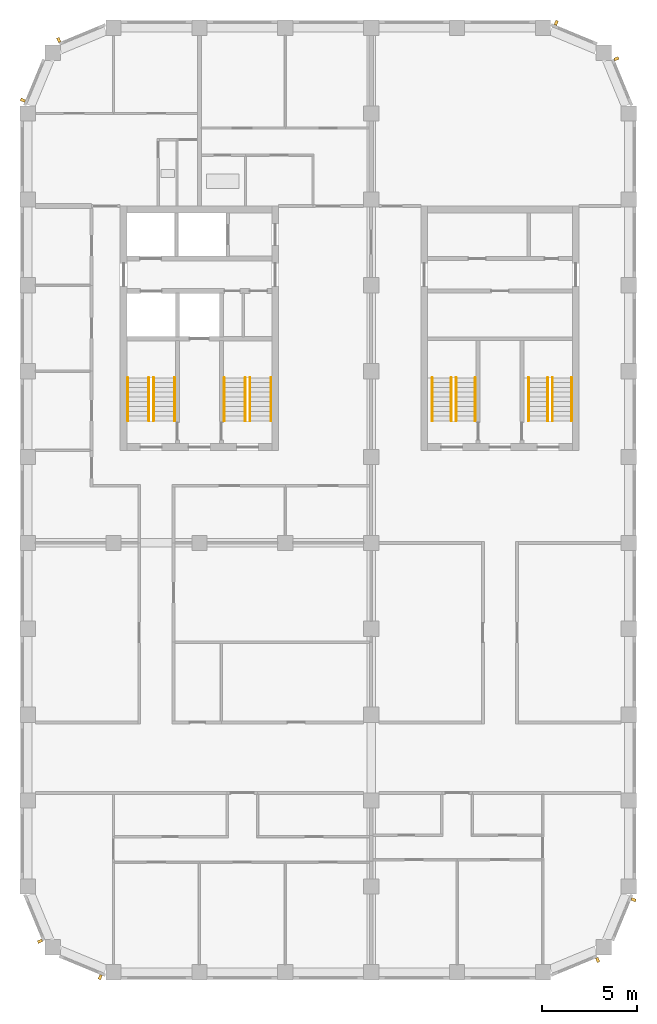
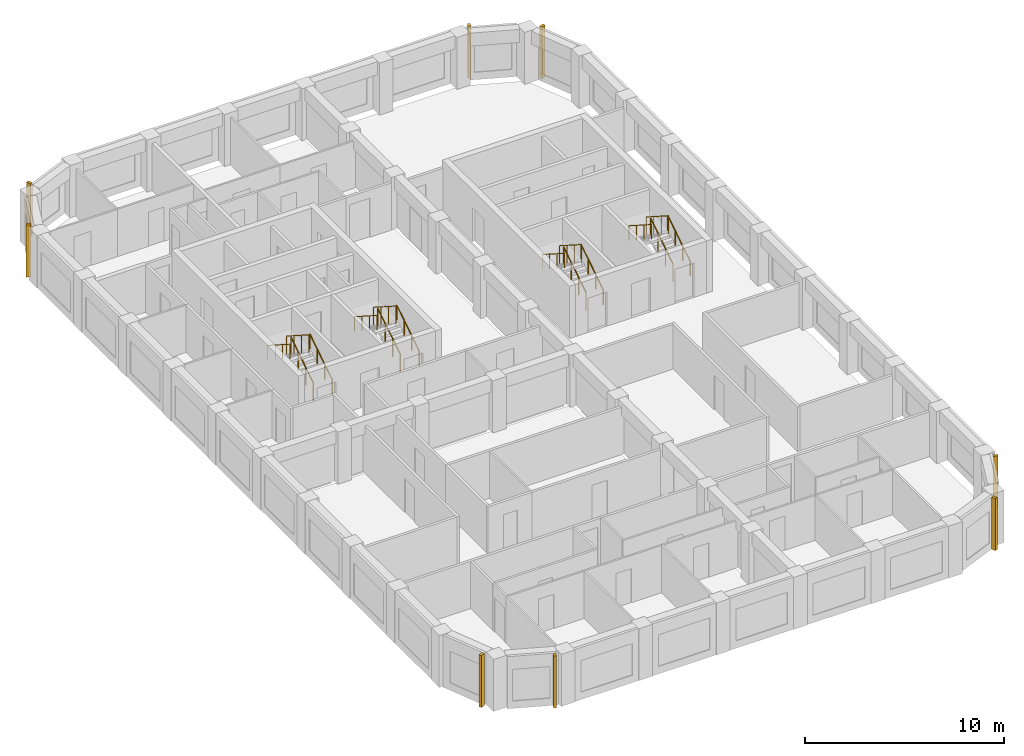
# One storey, part 8 of 9: 16 railings, 8 shading devices.
"""IFC4 building model written with IfcOpenShell, lengths in metres."""

import ifcopenshell
import ifcopenshell.guid

model = None  # the IFC model being written
_history = None  # IfcOwnerHistory: only IFC2X3 demands one
_inside = {}  # id of a spatial element -> (the spatial element, [elements in it])
_under = {}  # id of a project, library or spatial element -> (it, [spatial elements below it])
_declared = {}  # id of a project -> (the project, [libraries it declares])
_typed = {}  # id of a type object -> (the type object, [elements of that type])
_made_of = {}  # id of a material, layer set ... -> (it, [elements and type objects made of it])


def new_model(schema):
    """Start an empty IFC model of exactly this schema.

    Asked for "IFC4X3", IfcOpenShell would pick the latest addendum, in which some entities
    have other attributes; the version numbers below select the first issue.
    IFC2X3 requires an IfcOwnerHistory on every rooted entity: one is made here for all.
    """
    global model, _history
    if schema == "IFC4X3":
        model = ifcopenshell.file(schema_version=(4, 3, 0, 0))
    else:
        model = ifcopenshell.file(schema=schema)
    _inside.clear()
    _under.clear()
    _declared.clear()
    _typed.clear()
    _made_of.clear()
    _history = None
    if model.schema == "IFC2X3":
        org = make("IfcOrganization", Name="unknown")
        user = make(
            "IfcPersonAndOrganization",
            ThePerson=make("IfcPerson", FamilyName="unknown"),
            TheOrganization=org,
        )
        app = make(
            "IfcApplication",
            ApplicationDeveloper=org,
            Version="unknown",
            ApplicationFullName="unknown",
            ApplicationIdentifier="unknown",
        )
        _history = make(
            "IfcOwnerHistory",
            OwningUser=user,
            OwningApplication=app,
            ChangeAction="ADDED",
            CreationDate=0,
        )
    return model


def make(cls, **values):
    """One entity of the class cls with the attributes given. An attribute that is None is left unset."""
    return model.create_entity(
        cls, **{name: value for name, value in values.items() if value is not None}
    )


def rooted(cls, **values):
    """An entity with a GlobalId (a new one), such as an element, a storey or a relation."""
    return make(cls, GlobalId=ifcopenshell.guid.new(), OwnerHistory=_history, **values)


def si_unit(unit_type, name, prefix=None):
    """IfcSIUnit, for example si_unit("LENGTHUNIT", "METRE", prefix="MILLI")."""
    return make("IfcSIUnit", UnitType=unit_type, Prefix=prefix, Name=name)


def assignment(units):
    """IfcUnitAssignment: the units of a project."""
    return None if units is None else make("IfcUnitAssignment", Units=units)


def point(xyz):
    """IfcCartesianPoint."""
    return None if xyz is None else make("IfcCartesianPoint", Coordinates=xyz)


def direction(xyz):
    """IfcDirection."""
    return None if xyz is None else make("IfcDirection", DirectionRatios=xyz)


def frame(location, z_axis=None, x_axis=None):
    """IfcAxis2Placement3D, a coordinate frame: its origin and axes. An axis left out is left unset."""
    return make(
        "IfcAxis2Placement3D",
        Location=point(location),
        Axis=direction(z_axis),
        RefDirection=direction(x_axis),
    )


def frame_2d(location, x_axis=None):
    """IfcAxis2Placement2D, a coordinate frame in the plane: its origin and x axis."""
    return make(
        "IfcAxis2Placement2D", Location=point(location), RefDirection=direction(x_axis)
    )


def origin():
    """The frame at (0, 0, 0) with its axes left unset."""
    return frame((0.0, 0.0, 0.0))


def origin_2d():
    """The frame at (0, 0) in the plane with its x axis left unset."""
    return frame_2d((0.0, 0.0))


def place(relative_to, where):
    """IfcLocalPlacement: puts the frame where relative to a parent placement (None: the world)."""
    return make(
        "IfcLocalPlacement", PlacementRelTo=relative_to, RelativePlacement=where
    )


def context(
    kind, dimensions, precision=None, world=None, true_north=None, identifier=None
):
    """IfcGeometricRepresentationContext, for example the 3D "Model" context."""
    return make(
        "IfcGeometricRepresentationContext",
        ContextIdentifier=identifier,
        ContextType=kind,
        CoordinateSpaceDimension=dimensions,
        Precision=precision,
        WorldCoordinateSystem=world,
        TrueNorth=true_north,
    )


def subcontext(parent, identifier, kind, view, scale=None):
    """IfcGeometricRepresentationSubContext, for example "Body" below "Model"."""
    return make(
        "IfcGeometricRepresentationSubContext",
        ContextIdentifier=identifier,
        ContextType=kind,
        ParentContext=parent,
        TargetScale=scale,
        TargetView=view,
    )


def project(units=None, contexts=None):
    """IfcProject with its units and contexts."""
    return rooted(
        "IfcProject",
        Name="project",
        RepresentationContexts=contexts,
        UnitsInContext=assignment(units),
    )


def spatial(cls, under=None, at=None, **own):
    """A site, building, storey or space (cls), placed at a placement, below another one or the project."""
    s = rooted(cls, ObjectPlacement=at, **own)
    if under is not None:
        _under.setdefault(under.id(), (under, []))[1].append(s)
    return s


def profile(cls, at=None, kind="AREA", **sizes):
    """A parametric profile (cls). Its sizes go by their IFC names, for example OverallWidth=200.0."""
    return make(cls, ProfileType=kind, Position=at, **sizes)


def rectangle(**sizes):
    """IfcRectangleProfileDef."""
    return profile("IfcRectangleProfileDef", **sizes)


def circle(**sizes):
    """IfcCircleProfileDef."""
    return profile("IfcCircleProfileDef", **sizes)


def extrude(swept, where, along, depth):
    """IfcExtrudedAreaSolid: the profile swept, set in the frame where, extruded along a direction by depth."""
    return make(
        "IfcExtrudedAreaSolid",
        SweptArea=swept,
        Position=where,
        ExtrudedDirection=direction(along),
        Depth=depth,
    )


def shape(context_of_items, identifier, shape_type, items):
    """IfcShapeRepresentation: the items that make up one representation, for example the "Body"."""
    return make(
        "IfcShapeRepresentation",
        ContextOfItems=context_of_items,
        RepresentationIdentifier=identifier,
        RepresentationType=shape_type,
        Items=items,
    )


def material(Name=None, Category=None):
    """IfcMaterial."""
    return make("IfcMaterial", Name=Name, Category=Category)


def made_of(thing, what):
    """Note that an element or type object is made of a material, layer set ...; save() writes the relation."""
    if what is not None:
        _made_of.setdefault(what.id(), (what, []))[1].append(thing)
    return thing


def type_object(cls, material=None, **own):
    """A type object (cls), such as IfcWallType, which elements share."""
    return made_of(rooted(cls, **own), material)


def element(
    cls,
    number,
    at=None,
    inside=None,
    cuts=None,
    type_object=None,
    material=None,
    context=None,
    identifier="Body",
    shape_type=None,
    held_by="IfcProductDefinitionShape",
    body=None,
    shapes=None,
    **own,
):
    """One element of the class cls, such as IfcWall. Its Tag is "e" and its number.

    at: its placement. inside: the storey or other place that contains it. cuts: it is an
    opening in that element (IfcRelVoidsElement). A single representation is given by context,
    identifier, shape_type and body (its items); several are given by shapes. held_by: the class
    of the entity that holds the representations. save() writes the other relations.
    """
    e = rooted(cls, Tag="e%d" % number, ObjectPlacement=at, **own)
    if body is not None:
        shapes = [shape(context, identifier, shape_type, body)]
    if shapes is not None:
        e.Representation = make(held_by, Representations=shapes)
    if inside is not None:
        _inside.setdefault(inside.id(), (inside, []))[1].append(e)
    if cuts is not None:
        rooted(
            "IfcRelVoidsElement", RelatingBuildingElement=cuts, RelatedOpeningElement=e
        )
    if type_object is not None:
        _typed.setdefault(type_object.id(), (type_object, []))[1].append(e)
    return made_of(e, material)


def aggregate(whole, parts):
    """IfcRelAggregates: a whole, such as a stair, and the parts it consists of."""
    return rooted("IfcRelAggregates", RelatingObject=whole, RelatedObjects=parts)


def save(model, path):
    """Write the relations noted so far, then the file.

    IfcRelAggregates (storeys below a building ...), IfcRelContainedInSpatialStructure (elements
    in a storey), IfcRelDefinesByType, IfcRelAssociatesMaterial and IfcRelDeclares: one each for
    every whole, place, type object, material and project.
    """
    for whole, parts in _under.values():
        aggregate(whole, parts)
    for where, things in _inside.values():
        rooted(
            "IfcRelContainedInSpatialStructure",
            RelatedElements=things,
            RelatingStructure=where,
        )
    for kind, things in _typed.values():
        rooted("IfcRelDefinesByType", RelatedObjects=things, RelatingType=kind)
    for what, things in _made_of.values():
        rooted("IfcRelAssociatesMaterial", RelatedObjects=things, RelatingMaterial=what)
    for by, libraries in _declared.values():
        rooted("IfcRelDeclares", RelatingContext=by, RelatedDefinitions=libraries)
    model.write(path)


model = new_model("IFC4")

# Units and contexts
model_context = context("Model", 3, precision=1e-05, world=origin(), true_north=direction((0.0, 1.0)))
body_context = subcontext(model_context, "Body", "Model", "MODEL_VIEW")
ifc_project = project(units=[si_unit("LENGTHUNIT", "METRE"), si_unit("AREAUNIT", "SQUARE_METRE"), si_unit("VOLUMEUNIT", "CUBIC_METRE"), si_unit("PLANEANGLEUNIT", "RADIAN"), si_unit("MASSUNIT", "GRAM", prefix="KILO")], contexts=[model_context])

# Site, building, storey
site_placement = place(None, origin())
site = spatial("IfcSite", under=ifc_project, at=site_placement, CompositionType="ELEMENT")
building_placement = place(site_placement, origin())
building = spatial("IfcBuilding", under=site, at=building_placement, Name="Girih Gate Residences", CompositionType="ELEMENT")
storey_placement = place(building_placement, frame((0.0, 0.0, 226.094970703125)))
storey = spatial("IfcBuildingStorey", under=building, at=storey_placement, Name="L63", CompositionType="ELEMENT", Elevation=226.094970703125)

# Shading devices
ifc_material_1 = material(Name="Precast concrete C50/60", Category="concrete")
shading_device_type = type_object("IfcShadingDeviceType", Name="Corner rib 150x250", PredefinedType="USERDEFINED", material=ifc_material_1)
for number, where, z_axis, x_axis, name in (
    (1, (29.867919921875, 0.646728515625, 0.0), (0.0, 0.0, 1.0), (0.923879532511, 0.382683432365, 0.0), "Corner rib SE0270_0000.0"),
    (2, (31.752685546875, 3.80322265625, 0.0), (0.0, 0.0, 1.0), (0.382683432365, 0.923879532511, 0.0), "Corner rib SE0302_0013.0"),
    (3, (30.853271484375, 47.867919921875, 0.0), (0.0, 0.0, 1.0), (-0.382683432365, 0.923879532511, 0.0), "Corner rib NE0315_0450.0"),
    (4, (27.69677734375, 49.752685546875, 0.0), (0.0, 0.0, 1.0), (-0.923879532511, 0.382683432365, 0.0), "Corner rib NE0302_0482.0"),
    (5, (1.632080078125, 48.853271484375, 0.0), (0.0, 0.0, 1.0), (-0.923879532511, -0.382683432365, 0.0), "Corner rib NW0045_0495.0"),
    (6, (-0.252685546875, 45.69677734375, 0.0), (0.0, 0.0, 1.0), (-0.382683432365, -0.923879532511, 0.0), "Corner rib NW0013_0482.0"),
    (7, (0.646728515625, 1.632080078125, 0.0), (0.0, 0.0, 1.0), (0.382683432365, -0.923879532511, 0.0), "Corner rib SW0000_0045.0"),
    (8, (3.80322265625, -0.252685546875, 0.0), (0.0, 0.0, 1.0), (0.923879532511, -0.382683432365, 0.0), "Corner rib SW0013_0013.0"),
):
    element("IfcShadingDevice", number, at=place(storey_placement, frame(where, z_axis=z_axis, x_axis=x_axis)), inside=storey, type_object=shading_device_type, Name=name, ObjectType="FIN", PredefinedType="USERDEFINED", context=body_context, shape_type="SweptSolid", body=[
        extrude(rectangle(XDim=0.14990234375, YDim=0.25, at=origin_2d()), origin(), (0.0, 0.0, 1.0), 3.199951171875),
    ])

# Railings
ifc_material_2 = material(Name="Stainless steel", Category="steel")
railing_type_1 = type_object("IfcRailingType", Name="Stair guard 1100", PredefinedType="GUARDRAIL", material=ifc_material_2)
railing_1_placement = place(storey_placement, frame((6.60009765625, 28.89990234375, 0.159912109375)))
element("IfcRailing", 9, at=railing_1_placement, inside=storey, type_object=railing_type_1, Name="L63 ST-W1 stair guard 1", PredefinedType="GUARDRAIL", context=body_context, shape_type="SweptSolid", body=[
    extrude(circle(Radius=0.02392578125, at=origin_2d()), frame((0.0, 0.0, 1.076171875), z_axis=(0.0, 0.842239864353, 0.539102968731), x_axis=(-1.0, 0.0, 0.0)), (0.0, 0.0, 1.0), 2.67138671875),
    extrude(circle(Radius=0.02099609375, at=origin_2d()), origin(), (0.0, 0.0, 1.0), 1.052001953125),
    extrude(circle(Radius=0.02099609375, at=origin_2d()), frame((0.0, 0.75, 0.47998046875)), (0.0, 0.0, 1.0), 1.052001953125),
    extrude(circle(Radius=0.02099609375, at=origin_2d()), frame((0.0, 1.5, 0.960205078125)), (0.0, 0.0, 1.0), 1.052001953125),
    extrude(circle(Radius=0.02099609375, at=origin_2d()), frame((0.0, 2.25, 1.440185546875)), (0.0, 0.0, 1.0), 1.052001953125),
])
railing_2_placement = place(storey_placement, frame((6.35009765625, 31.14990234375, 1.760009765625)))
element("IfcRailing", 10, at=railing_2_placement, inside=storey, type_object=railing_type_1, Name="L63 ST-W1 stair guard 2", PredefinedType="GUARDRAIL", context=body_context, shape_type="SweptSolid", body=[
    extrude(circle(Radius=0.02392578125, at=origin_2d()), frame((0.0, 0.0, 1.076171875), z_axis=(0.0, -0.842281359387, 0.539038135598), x_axis=(1.0, 0.0, 0.0)), (0.0, 0.0, 1.0), 2.67138671875),
    extrude(circle(Radius=0.02099609375, at=origin_2d()), origin(), (0.0, 0.0, 1.0), 1.052001953125),
    extrude(circle(Radius=0.02099609375, at=origin_2d()), frame((0.0, -0.75, 0.47998046875)), (0.0, 0.0, 1.0), 1.052001953125),
    extrude(circle(Radius=0.02099609375, at=origin_2d()), frame((0.0, -1.5, 0.9599609375)), (0.0, 0.0, 1.0), 1.052001953125),
    extrude(circle(Radius=0.02099609375, at=origin_2d()), frame((0.0, -2.25, 1.43994140625)), (0.0, 0.0, 1.0), 1.052001953125),
])
railing_3_placement = place(storey_placement, frame((11.64990234375, 28.89990234375, 0.159912109375)))
element("IfcRailing", 11, at=railing_3_placement, inside=storey, type_object=railing_type_1, Name="L63 ST-W2 stair guard 1", PredefinedType="GUARDRAIL", context=body_context, shape_type="SweptSolid", body=[
    extrude(circle(Radius=0.02392578125, at=origin_2d()), frame((0.0, 0.0, 1.076171875), z_axis=(0.0, 0.842239864353, 0.539102968731), x_axis=(-1.0, 0.0, 0.0)), (0.0, 0.0, 1.0), 2.67138671875),
    extrude(circle(Radius=0.02099609375, at=origin_2d()), origin(), (0.0, 0.0, 1.0), 1.052001953125),
    extrude(circle(Radius=0.02099609375, at=origin_2d()), frame((0.0, 0.75, 0.47998046875)), (0.0, 0.0, 1.0), 1.052001953125),
    extrude(circle(Radius=0.02099609375, at=origin_2d()), frame((0.0, 1.5, 0.960205078125)), (0.0, 0.0, 1.0), 1.052001953125),
    extrude(circle(Radius=0.02099609375, at=origin_2d()), frame((0.0, 2.25, 1.440185546875)), (0.0, 0.0, 1.0), 1.052001953125),
])
railing_4_placement = place(storey_placement, frame((11.39990234375, 31.14990234375, 1.760009765625)))
element("IfcRailing", 12, at=railing_4_placement, inside=storey, type_object=railing_type_1, Name="L63 ST-W2 stair guard 2", PredefinedType="GUARDRAIL", context=body_context, shape_type="SweptSolid", body=[
    extrude(circle(Radius=0.02392578125, at=origin_2d()), frame((0.0, 0.0, 1.076171875), z_axis=(0.0, -0.842281359387, 0.539038135598), x_axis=(1.0, 0.0, 0.0)), (0.0, 0.0, 1.0), 2.67138671875),
    extrude(circle(Radius=0.02099609375, at=origin_2d()), origin(), (0.0, 0.0, 1.0), 1.052001953125),
    extrude(circle(Radius=0.02099609375, at=origin_2d()), frame((0.0, -0.75, 0.47998046875)), (0.0, 0.0, 1.0), 1.052001953125),
    extrude(circle(Radius=0.02099609375, at=origin_2d()), frame((0.0, -1.5, 0.9599609375)), (0.0, 0.0, 1.0), 1.052001953125),
    extrude(circle(Radius=0.02099609375, at=origin_2d()), frame((0.0, -2.25, 1.43994140625)), (0.0, 0.0, 1.0), 1.052001953125),
])
railing_5_placement = place(storey_placement, frame((22.449951171875, 28.89990234375, 0.159912109375)))
element("IfcRailing", 13, at=railing_5_placement, inside=storey, type_object=railing_type_1, Name="L63 ST-C1 stair guard 1", PredefinedType="GUARDRAIL", context=body_context, shape_type="SweptSolid", body=[
    extrude(circle(Radius=0.02392578125, at=origin_2d()), frame((0.0, 0.0, 1.076171875), z_axis=(0.0, 0.842239864353, 0.539102968731), x_axis=(-1.0, 0.0, 0.0)), (0.0, 0.0, 1.0), 2.67138671875),
    extrude(circle(Radius=0.02099609375, at=origin_2d()), origin(), (0.0, 0.0, 1.0), 1.052001953125),
    extrude(circle(Radius=0.02099609375, at=origin_2d()), frame((0.0, 0.75, 0.47998046875)), (0.0, 0.0, 1.0), 1.052001953125),
    extrude(circle(Radius=0.02099609375, at=origin_2d()), frame((0.0, 1.5, 0.960205078125)), (0.0, 0.0, 1.0), 1.052001953125),
    extrude(circle(Radius=0.02099609375, at=origin_2d()), frame((0.0, 2.25, 1.440185546875)), (0.0, 0.0, 1.0), 1.052001953125),
])
railing_6_placement = place(storey_placement, frame((22.199951171875, 31.14990234375, 1.760009765625)))
element("IfcRailing", 14, at=railing_6_placement, inside=storey, type_object=railing_type_1, Name="L63 ST-C1 stair guard 2", PredefinedType="GUARDRAIL", context=body_context, shape_type="SweptSolid", body=[
    extrude(circle(Radius=0.02392578125, at=origin_2d()), frame((0.0, 0.0, 1.076171875), z_axis=(0.0, -0.842281359387, 0.539038135598), x_axis=(1.0, 0.0, 0.0)), (0.0, 0.0, 1.0), 2.67138671875),
    extrude(circle(Radius=0.02099609375, at=origin_2d()), origin(), (0.0, 0.0, 1.0), 1.052001953125),
    extrude(circle(Radius=0.02099609375, at=origin_2d()), frame((0.0, -0.75, 0.47998046875)), (0.0, 0.0, 1.0), 1.052001953125),
    extrude(circle(Radius=0.02099609375, at=origin_2d()), frame((0.0, -1.5, 0.9599609375)), (0.0, 0.0, 1.0), 1.052001953125),
    extrude(circle(Radius=0.02099609375, at=origin_2d()), frame((0.0, -2.25, 1.43994140625)), (0.0, 0.0, 1.0), 1.052001953125),
])
railing_7_placement = place(storey_placement, frame((27.5, 28.89990234375, 0.159912109375)))
element("IfcRailing", 15, at=railing_7_placement, inside=storey, type_object=railing_type_1, Name="L63 ST-C2 stair guard 1", PredefinedType="GUARDRAIL", context=body_context, shape_type="SweptSolid", body=[
    extrude(circle(Radius=0.02392578125, at=origin_2d()), frame((0.0, 0.0, 1.076171875), z_axis=(0.0, 0.842239864353, 0.539102968731), x_axis=(-1.0, 0.0, 0.0)), (0.0, 0.0, 1.0), 2.67138671875),
    extrude(circle(Radius=0.02099609375, at=origin_2d()), origin(), (0.0, 0.0, 1.0), 1.052001953125),
    extrude(circle(Radius=0.02099609375, at=origin_2d()), frame((0.0, 0.75, 0.47998046875)), (0.0, 0.0, 1.0), 1.052001953125),
    extrude(circle(Radius=0.02099609375, at=origin_2d()), frame((0.0, 1.5, 0.960205078125)), (0.0, 0.0, 1.0), 1.052001953125),
    extrude(circle(Radius=0.02099609375, at=origin_2d()), frame((0.0, 2.25, 1.440185546875)), (0.0, 0.0, 1.0), 1.052001953125),
])
railing_8_placement = place(storey_placement, frame((27.25, 31.14990234375, 1.760009765625)))
element("IfcRailing", 16, at=railing_8_placement, inside=storey, type_object=railing_type_1, Name="L63 ST-C2 stair guard 2", PredefinedType="GUARDRAIL", context=body_context, shape_type="SweptSolid", body=[
    extrude(circle(Radius=0.02392578125, at=origin_2d()), frame((0.0, 0.0, 1.076171875), z_axis=(0.0, -0.842281359387, 0.539038135598), x_axis=(1.0, 0.0, 0.0)), (0.0, 0.0, 1.0), 2.67138671875),
    extrude(circle(Radius=0.02099609375, at=origin_2d()), origin(), (0.0, 0.0, 1.0), 1.052001953125),
    extrude(circle(Radius=0.02099609375, at=origin_2d()), frame((0.0, -0.75, 0.47998046875)), (0.0, 0.0, 1.0), 1.052001953125),
    extrude(circle(Radius=0.02099609375, at=origin_2d()), frame((0.0, -1.5, 0.9599609375)), (0.0, 0.0, 1.0), 1.052001953125),
    extrude(circle(Radius=0.02099609375, at=origin_2d()), frame((0.0, -2.25, 1.43994140625)), (0.0, 0.0, 1.0), 1.052001953125),
])
railing_type_2 = type_object("IfcRailingType", Name="Stair handrail 900", PredefinedType="HANDRAIL", material=ifc_material_2)
railing_9_placement = place(storey_placement, frame((7.699951171875, 28.89990234375, 0.159912109375)))
element("IfcRailing", 17, at=railing_9_placement, inside=storey, type_object=railing_type_2, Name="L63 ST-W1 stair handrail 1", PredefinedType="HANDRAIL", context=body_context, shape_type="SweptSolid", body=[
    extrude(circle(Radius=0.02392578125, at=origin_2d()), frame((0.0, 0.0, 0.8857421875), z_axis=(0.0, 0.842239864353, 0.539102968731), x_axis=(-1.0, 0.0, 0.0)), (0.0, 0.0, 1.0), 2.67138671875),
    extrude(circle(Radius=0.02099609375, at=origin_2d()), origin(), (0.0, 0.0, 1.0), 0.86181640625),
    extrude(circle(Radius=0.02099609375, at=origin_2d()), frame((0.0, 0.75, 0.47998046875)), (0.0, 0.0, 1.0), 0.86181640625),
    extrude(circle(Radius=0.02099609375, at=origin_2d()), frame((0.0, 1.5, 0.960205078125)), (0.0, 0.0, 1.0), 0.86181640625),
    extrude(circle(Radius=0.02099609375, at=origin_2d()), frame((0.0, 2.25, 1.440185546875)), (0.0, 0.0, 1.0), 0.86181640625),
])
railing_10_placement = place(storey_placement, frame((5.25, 31.14990234375, 1.760009765625)))
element("IfcRailing", 18, at=railing_10_placement, inside=storey, type_object=railing_type_2, Name="L63 ST-W1 stair handrail 2", PredefinedType="HANDRAIL", context=body_context, shape_type="SweptSolid", body=[
    extrude(circle(Radius=0.02392578125, at=origin_2d()), frame((0.0, 0.0, 0.8857421875), z_axis=(0.0, -0.842281359387, 0.539038135598), x_axis=(1.0, 0.0, 0.0)), (0.0, 0.0, 1.0), 2.67138671875),
    extrude(circle(Radius=0.02099609375, at=origin_2d()), origin(), (0.0, 0.0, 1.0), 0.86181640625),
    extrude(circle(Radius=0.02099609375, at=origin_2d()), frame((0.0, -0.75, 0.47998046875)), (0.0, 0.0, 1.0), 0.86181640625),
    extrude(circle(Radius=0.02099609375, at=origin_2d()), frame((0.0, -1.5, 0.9599609375)), (0.0, 0.0, 1.0), 0.86181640625),
    extrude(circle(Radius=0.02099609375, at=origin_2d()), frame((0.0, -2.25, 1.43994140625)), (0.0, 0.0, 1.0), 0.86181640625),
])
railing_11_placement = place(storey_placement, frame((12.75, 28.89990234375, 0.159912109375)))
element("IfcRailing", 19, at=railing_11_placement, inside=storey, type_object=railing_type_2, Name="L63 ST-W2 stair handrail 1", PredefinedType="HANDRAIL", context=body_context, shape_type="SweptSolid", body=[
    extrude(circle(Radius=0.02392578125, at=origin_2d()), frame((0.0, 0.0, 0.8857421875), z_axis=(0.0, 0.842239864353, 0.539102968731), x_axis=(-1.0, 0.0, 0.0)), (0.0, 0.0, 1.0), 2.67138671875),
    extrude(circle(Radius=0.02099609375, at=origin_2d()), origin(), (0.0, 0.0, 1.0), 0.86181640625),
    extrude(circle(Radius=0.02099609375, at=origin_2d()), frame((0.0, 0.75, 0.47998046875)), (0.0, 0.0, 1.0), 0.86181640625),
    extrude(circle(Radius=0.02099609375, at=origin_2d()), frame((0.0, 1.5, 0.960205078125)), (0.0, 0.0, 1.0), 0.86181640625),
    extrude(circle(Radius=0.02099609375, at=origin_2d()), frame((0.0, 2.25, 1.440185546875)), (0.0, 0.0, 1.0), 0.86181640625),
])
railing_12_placement = place(storey_placement, frame((10.300048828125, 31.14990234375, 1.760009765625)))
element("IfcRailing", 20, at=railing_12_placement, inside=storey, type_object=railing_type_2, Name="L63 ST-W2 stair handrail 2", PredefinedType="HANDRAIL", context=body_context, shape_type="SweptSolid", body=[
    extrude(circle(Radius=0.02392578125, at=origin_2d()), frame((0.0, 0.0, 0.8857421875), z_axis=(0.0, -0.842281359387, 0.539038135598), x_axis=(1.0, 0.0, 0.0)), (0.0, 0.0, 1.0), 2.67138671875),
    extrude(circle(Radius=0.02099609375, at=origin_2d()), origin(), (0.0, 0.0, 1.0), 0.86181640625),
    extrude(circle(Radius=0.02099609375, at=origin_2d()), frame((0.0, -0.75, 0.47998046875)), (0.0, 0.0, 1.0), 0.86181640625),
    extrude(circle(Radius=0.02099609375, at=origin_2d()), frame((0.0, -1.5, 0.9599609375)), (0.0, 0.0, 1.0), 0.86181640625),
    extrude(circle(Radius=0.02099609375, at=origin_2d()), frame((0.0, -2.25, 1.43994140625)), (0.0, 0.0, 1.0), 0.86181640625),
])
railing_13_placement = place(storey_placement, frame((23.449951171875, 28.89990234375, 0.159912109375)))
element("IfcRailing", 21, at=railing_13_placement, inside=storey, type_object=railing_type_2, Name="L63 ST-C1 stair handrail 1", PredefinedType="HANDRAIL", context=body_context, shape_type="SweptSolid", body=[
    extrude(circle(Radius=0.02392578125, at=origin_2d()), frame((0.0, 0.0, 0.8857421875), z_axis=(0.0, 0.842239864353, 0.539102968731), x_axis=(-1.0, 0.0, 0.0)), (0.0, 0.0, 1.0), 2.67138671875),
    extrude(circle(Radius=0.02099609375, at=origin_2d()), origin(), (0.0, 0.0, 1.0), 0.86181640625),
    extrude(circle(Radius=0.02099609375, at=origin_2d()), frame((0.0, 0.75, 0.47998046875)), (0.0, 0.0, 1.0), 0.86181640625),
    extrude(circle(Radius=0.02099609375, at=origin_2d()), frame((0.0, 1.5, 0.960205078125)), (0.0, 0.0, 1.0), 0.86181640625),
    extrude(circle(Radius=0.02099609375, at=origin_2d()), frame((0.0, 2.25, 1.440185546875)), (0.0, 0.0, 1.0), 0.86181640625),
])
railing_14_placement = place(storey_placement, frame((21.199951171875, 31.14990234375, 1.760009765625)))
element("IfcRailing", 22, at=railing_14_placement, inside=storey, type_object=railing_type_2, Name="L63 ST-C1 stair handrail 2", PredefinedType="HANDRAIL", context=body_context, shape_type="SweptSolid", body=[
    extrude(circle(Radius=0.02392578125, at=origin_2d()), frame((0.0, 0.0, 0.8857421875), z_axis=(0.0, -0.842281359387, 0.539038135598), x_axis=(1.0, 0.0, 0.0)), (0.0, 0.0, 1.0), 2.67138671875),
    extrude(circle(Radius=0.02099609375, at=origin_2d()), origin(), (0.0, 0.0, 1.0), 0.86181640625),
    extrude(circle(Radius=0.02099609375, at=origin_2d()), frame((0.0, -0.75, 0.47998046875)), (0.0, 0.0, 1.0), 0.86181640625),
    extrude(circle(Radius=0.02099609375, at=origin_2d()), frame((0.0, -1.5, 0.9599609375)), (0.0, 0.0, 1.0), 0.86181640625),
    extrude(circle(Radius=0.02099609375, at=origin_2d()), frame((0.0, -2.25, 1.43994140625)), (0.0, 0.0, 1.0), 0.86181640625),
])
railing_15_placement = place(storey_placement, frame((28.5, 28.89990234375, 0.159912109375)))
element("IfcRailing", 23, at=railing_15_placement, inside=storey, type_object=railing_type_2, Name="L63 ST-C2 stair handrail 1", PredefinedType="HANDRAIL", context=body_context, shape_type="SweptSolid", body=[
    extrude(circle(Radius=0.02392578125, at=origin_2d()), frame((0.0, 0.0, 0.8857421875), z_axis=(0.0, 0.842239864353, 0.539102968731), x_axis=(-1.0, 0.0, 0.0)), (0.0, 0.0, 1.0), 2.67138671875),
    extrude(circle(Radius=0.02099609375, at=origin_2d()), origin(), (0.0, 0.0, 1.0), 0.86181640625),
    extrude(circle(Radius=0.02099609375, at=origin_2d()), frame((0.0, 0.75, 0.47998046875)), (0.0, 0.0, 1.0), 0.86181640625),
    extrude(circle(Radius=0.02099609375, at=origin_2d()), frame((0.0, 1.5, 0.960205078125)), (0.0, 0.0, 1.0), 0.86181640625),
    extrude(circle(Radius=0.02099609375, at=origin_2d()), frame((0.0, 2.25, 1.440185546875)), (0.0, 0.0, 1.0), 0.86181640625),
])
railing_16_placement = place(storey_placement, frame((26.25, 31.14990234375, 1.760009765625)))
element("IfcRailing", 24, at=railing_16_placement, inside=storey, type_object=railing_type_2, Name="L63 ST-C2 stair handrail 2", PredefinedType="HANDRAIL", context=body_context, shape_type="SweptSolid", body=[
    extrude(circle(Radius=0.02392578125, at=origin_2d()), frame((0.0, 0.0, 0.8857421875), z_axis=(0.0, -0.842281359387, 0.539038135598), x_axis=(1.0, 0.0, 0.0)), (0.0, 0.0, 1.0), 2.67138671875),
    extrude(circle(Radius=0.02099609375, at=origin_2d()), origin(), (0.0, 0.0, 1.0), 0.86181640625),
    extrude(circle(Radius=0.02099609375, at=origin_2d()), frame((0.0, -0.75, 0.47998046875)), (0.0, 0.0, 1.0), 0.86181640625),
    extrude(circle(Radius=0.02099609375, at=origin_2d()), frame((0.0, -1.5, 0.9599609375)), (0.0, 0.0, 1.0), 0.86181640625),
    extrude(circle(Radius=0.02099609375, at=origin_2d()), frame((0.0, -2.25, 1.43994140625)), (0.0, 0.0, 1.0), 0.86181640625),
])

save(model, "model.ifc")
